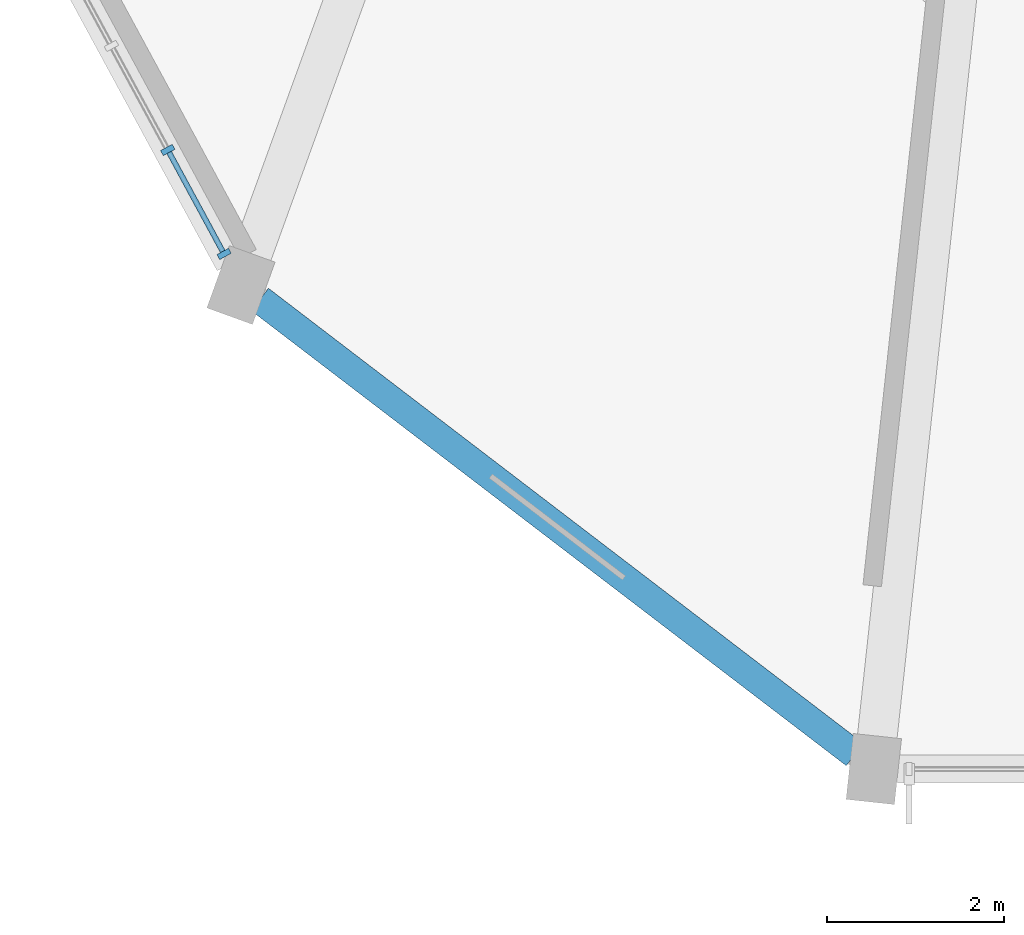
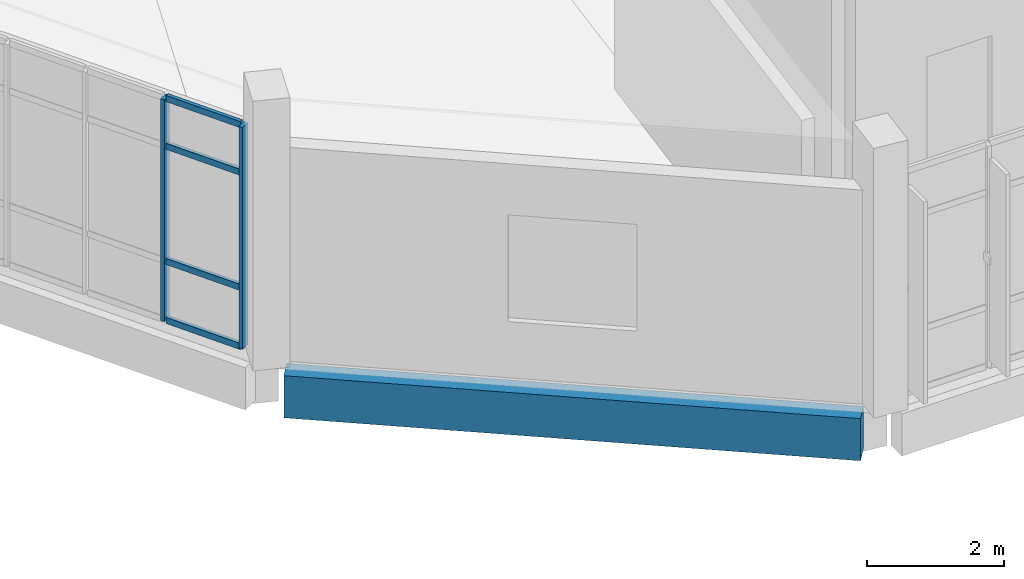
# One storey, part 41 of 179: 6 members, 1 beam, 1 element without a shape of its own.
"""IFC4 building model written with IfcOpenShell, lengths in metres."""

import ifcopenshell
import ifcopenshell.guid

model = None  # the IFC model being written
_history = None  # IfcOwnerHistory: only IFC2X3 demands one
_inside = {}  # id of a spatial element -> (the spatial element, [elements in it])
_under = {}  # id of a project, library or spatial element -> (it, [spatial elements below it])
_declared = {}  # id of a project -> (the project, [libraries it declares])
_typed = {}  # id of a type object -> (the type object, [elements of that type])
_made_of = {}  # id of a material, layer set ... -> (it, [elements and type objects made of it])


def new_model(schema):
    """Start an empty IFC model of exactly this schema.

    Asked for "IFC4X3", IfcOpenShell would pick the latest addendum, in which some entities
    have other attributes; the version numbers below select the first issue.
    IFC2X3 requires an IfcOwnerHistory on every rooted entity: one is made here for all.
    """
    global model, _history
    if schema == "IFC4X3":
        model = ifcopenshell.file(schema_version=(4, 3, 0, 0))
    else:
        model = ifcopenshell.file(schema=schema)
    _inside.clear()
    _under.clear()
    _declared.clear()
    _typed.clear()
    _made_of.clear()
    _history = None
    if model.schema == "IFC2X3":
        org = make("IfcOrganization", Name="unknown")
        user = make(
            "IfcPersonAndOrganization",
            ThePerson=make("IfcPerson", FamilyName="unknown"),
            TheOrganization=org,
        )
        app = make(
            "IfcApplication",
            ApplicationDeveloper=org,
            Version="unknown",
            ApplicationFullName="unknown",
            ApplicationIdentifier="unknown",
        )
        _history = make(
            "IfcOwnerHistory",
            OwningUser=user,
            OwningApplication=app,
            ChangeAction="ADDED",
            CreationDate=0,
        )
    return model


def make(cls, **values):
    """One entity of the class cls with the attributes given. An attribute that is None is left unset."""
    return model.create_entity(
        cls, **{name: value for name, value in values.items() if value is not None}
    )


def rooted(cls, **values):
    """An entity with a GlobalId (a new one), such as an element, a storey or a relation."""
    return make(cls, GlobalId=ifcopenshell.guid.new(), OwnerHistory=_history, **values)


def si_unit(unit_type, name, prefix=None):
    """IfcSIUnit, for example si_unit("LENGTHUNIT", "METRE", prefix="MILLI")."""
    return make("IfcSIUnit", UnitType=unit_type, Prefix=prefix, Name=name)


def assignment(units):
    """IfcUnitAssignment: the units of a project."""
    return None if units is None else make("IfcUnitAssignment", Units=units)


def point(xyz):
    """IfcCartesianPoint."""
    return None if xyz is None else make("IfcCartesianPoint", Coordinates=xyz)


def direction(xyz):
    """IfcDirection."""
    return None if xyz is None else make("IfcDirection", DirectionRatios=xyz)


def frame(location, z_axis=None, x_axis=None):
    """IfcAxis2Placement3D, a coordinate frame: its origin and axes. An axis left out is left unset."""
    return make(
        "IfcAxis2Placement3D",
        Location=point(location),
        Axis=direction(z_axis),
        RefDirection=direction(x_axis),
    )


def frame_2d(location, x_axis=None):
    """IfcAxis2Placement2D, a coordinate frame in the plane: its origin and x axis."""
    return make(
        "IfcAxis2Placement2D", Location=point(location), RefDirection=direction(x_axis)
    )


def origin():
    """The frame at (0, 0, 0) with its axes left unset."""
    return frame((0.0, 0.0, 0.0))


def origin_2d():
    """The frame at (0, 0) in the plane with its x axis left unset."""
    return frame_2d((0.0, 0.0))


def place(relative_to, where):
    """IfcLocalPlacement: puts the frame where relative to a parent placement (None: the world)."""
    return make(
        "IfcLocalPlacement", PlacementRelTo=relative_to, RelativePlacement=where
    )


def context(
    kind, dimensions, precision=None, world=None, true_north=None, identifier=None
):
    """IfcGeometricRepresentationContext, for example the 3D "Model" context."""
    return make(
        "IfcGeometricRepresentationContext",
        ContextIdentifier=identifier,
        ContextType=kind,
        CoordinateSpaceDimension=dimensions,
        Precision=precision,
        WorldCoordinateSystem=world,
        TrueNorth=true_north,
    )


def subcontext(parent, identifier, kind, view, scale=None):
    """IfcGeometricRepresentationSubContext, for example "Body" below "Model"."""
    return make(
        "IfcGeometricRepresentationSubContext",
        ContextIdentifier=identifier,
        ContextType=kind,
        ParentContext=parent,
        TargetScale=scale,
        TargetView=view,
    )


def project(units=None, contexts=None):
    """IfcProject with its units and contexts."""
    return rooted(
        "IfcProject",
        Name="project",
        RepresentationContexts=contexts,
        UnitsInContext=assignment(units),
    )


def spatial(cls, under=None, at=None, **own):
    """A site, building, storey or space (cls), placed at a placement, below another one or the project."""
    s = rooted(cls, ObjectPlacement=at, **own)
    if under is not None:
        _under.setdefault(under.id(), (under, []))[1].append(s)
    return s


def profile(cls, at=None, kind="AREA", **sizes):
    """A parametric profile (cls). Its sizes go by their IFC names, for example OverallWidth=200.0."""
    return make(cls, ProfileType=kind, Position=at, **sizes)


def rectangle(**sizes):
    """IfcRectangleProfileDef."""
    return profile("IfcRectangleProfileDef", **sizes)


def extrude(swept, where, along, depth):
    """IfcExtrudedAreaSolid: the profile swept, set in the frame where, extruded along a direction by depth."""
    return make(
        "IfcExtrudedAreaSolid",
        SweptArea=swept,
        Position=where,
        ExtrudedDirection=direction(along),
        Depth=depth,
    )


def shape(context_of_items, identifier, shape_type, items):
    """IfcShapeRepresentation: the items that make up one representation, for example the "Body"."""
    return make(
        "IfcShapeRepresentation",
        ContextOfItems=context_of_items,
        RepresentationIdentifier=identifier,
        RepresentationType=shape_type,
        Items=items,
    )


def material(Name=None, Category=None):
    """IfcMaterial."""
    return make("IfcMaterial", Name=Name, Category=Category)


def layer(
    of_material, thickness, ventilated=None, Name=None, Category=None, Priority=None
):
    """IfcMaterialLayer: one layer of a wall or slab, of a material (None: an air gap)."""
    return make(
        "IfcMaterialLayer",
        Material=of_material,
        LayerThickness=thickness,
        IsVentilated=ventilated,
        Name=Name,
        Category=Category,
        Priority=Priority,
    )


def layer_set(layers, Name=None):
    """IfcMaterialLayerSet."""
    return make("IfcMaterialLayerSet", MaterialLayers=layers, LayerSetName=Name)


def material_profile(
    of_material, cross_section, Name=None, Category=None, Priority=None
):
    """IfcMaterialProfile: a cross section and its material."""
    return make(
        "IfcMaterialProfile",
        Name=Name,
        Material=of_material,
        Profile=cross_section,
        Priority=Priority,
        Category=Category,
    )


def profile_set(profiles, Name=None, composite=None):
    """IfcMaterialProfileSet."""
    return make(
        "IfcMaterialProfileSet",
        Name=Name,
        MaterialProfiles=profiles,
        CompositeProfile=composite,
    )


def made_of(thing, what):
    """Note that an element or type object is made of a material, layer set ...; save() writes the relation."""
    if what is not None:
        _made_of.setdefault(what.id(), (what, []))[1].append(thing)
    return thing


def type_object(cls, material=None, **own):
    """A type object (cls), such as IfcWallType, which elements share."""
    return made_of(rooted(cls, **own), material)


def element(
    cls,
    number,
    at=None,
    inside=None,
    cuts=None,
    type_object=None,
    material=None,
    context=None,
    identifier="Body",
    shape_type=None,
    held_by="IfcProductDefinitionShape",
    body=None,
    shapes=None,
    **own,
):
    """One element of the class cls, such as IfcWall. Its Tag is "e" and its number.

    at: its placement. inside: the storey or other place that contains it. cuts: it is an
    opening in that element (IfcRelVoidsElement). A single representation is given by context,
    identifier, shape_type and body (its items); several are given by shapes. held_by: the class
    of the entity that holds the representations. save() writes the other relations.
    """
    e = rooted(cls, Tag="e%d" % number, ObjectPlacement=at, **own)
    if body is not None:
        shapes = [shape(context, identifier, shape_type, body)]
    if shapes is not None:
        e.Representation = make(held_by, Representations=shapes)
    if inside is not None:
        _inside.setdefault(inside.id(), (inside, []))[1].append(e)
    if cuts is not None:
        rooted(
            "IfcRelVoidsElement", RelatingBuildingElement=cuts, RelatedOpeningElement=e
        )
    if type_object is not None:
        _typed.setdefault(type_object.id(), (type_object, []))[1].append(e)
    return made_of(e, material)


def aggregate(whole, parts):
    """IfcRelAggregates: a whole, such as a stair, and the parts it consists of."""
    return rooted("IfcRelAggregates", RelatingObject=whole, RelatedObjects=parts)


def save(model, path):
    """Write the relations noted so far, then the file.

    IfcRelAggregates (storeys below a building ...), IfcRelContainedInSpatialStructure (elements
    in a storey), IfcRelDefinesByType, IfcRelAssociatesMaterial and IfcRelDeclares: one each for
    every whole, place, type object, material and project.
    """
    for whole, parts in _under.values():
        aggregate(whole, parts)
    for where, things in _inside.values():
        rooted(
            "IfcRelContainedInSpatialStructure",
            RelatedElements=things,
            RelatingStructure=where,
        )
    for kind, things in _typed.values():
        rooted("IfcRelDefinesByType", RelatedObjects=things, RelatingType=kind)
    for what, things in _made_of.values():
        rooted("IfcRelAssociatesMaterial", RelatedObjects=things, RelatingMaterial=what)
    for by, libraries in _declared.values():
        rooted("IfcRelDeclares", RelatingContext=by, RelatedDefinitions=libraries)
    model.write(path)


model = new_model("IFC4")

# Units and contexts
model_context = context("Model", 3, precision=1e-05, world=origin(), true_north=direction((0.0, 1.0)))
body_context = subcontext(model_context, "Body", "Model", "MODEL_VIEW")
ifc_project = project(units=[si_unit("LENGTHUNIT", "METRE"), si_unit("AREAUNIT", "SQUARE_METRE"), si_unit("VOLUMEUNIT", "CUBIC_METRE"), si_unit("PLANEANGLEUNIT", "RADIAN"), si_unit("MASSUNIT", "GRAM", prefix="KILO")], contexts=[model_context])

# Site, building, storey
site_placement = place(None, origin())
site = spatial("IfcSite", under=ifc_project, at=site_placement, CompositionType="ELEMENT")
building_placement = place(site_placement, origin())
building = spatial("IfcBuilding", under=site, at=building_placement, Name="Corvandel Quay Wholesale Market", CompositionType="ELEMENT")
storey_placement = place(building_placement, frame((0.0, 0.0, 6.0)))
storey = spatial("IfcBuildingStorey", under=building, at=storey_placement, Name="L01", CompositionType="ELEMENT", Elevation=6.0)

# Curtain wall, members
ifc_material_1 = material(Name="Bronze anodised aluminium and low-E insulated glazing", Category="aluminium")
ifc_layer = layer(ifc_material_1, 0.197998046875)
ifc_layer_set = layer_set([ifc_layer], Name="Bronze anodised aluminium and low-E insulated glazing")
curtain_wall_type = type_object("IfcCurtainWallType", Name="Stick Curtain Wall System CW19 H4710", PredefinedType="NOTDEFINED", material=ifc_layer_set)
curtain_wall_placement = place(storey_placement, origin())
curtain_wall = element("IfcCurtainWall", 1, at=curtain_wall_placement, inside=storey, type_object=curtain_wall_type, Name="Curtain Wall CW-0137", PredefinedType="NOTDEFINED")
ifc_material_2 = material(Name="Anodised aluminium 6063-T6", Category="aluminium")
ifc_material_profile_1 = material_profile(ifc_material_2, rectangle(XDim=0.06494140625, YDim=0.14990234375, at=origin_2d()), Name="ALU-MUL-65x150")
ifc_profile_set_1 = profile_set([ifc_material_profile_1], Name="Anodised aluminium 6063-T6")
member_type_1 = type_object("IfcMemberType", Name="Curtain Wall Mullion ML02 65x150", PredefinedType="MULLION", material=ifc_profile_set_1)
member_1_placement = place(storey_placement, frame((182.62548828125, 31.010498046875, 0.0), z_axis=(0.0, 0.0, 1.0), x_axis=(-0.476238203668, 0.879316310191, 0.0)))
member_1 = element("IfcMember", 2, at=member_1_placement, type_object=member_type_1, Name="Mullion CW-0137-M07", PredefinedType="MULLION", context=body_context, shape_type="SweptSolid", body=[
    extrude(rectangle(XDim=0.06494140625, YDim=0.14990234375, at=origin_2d()), origin(), (0.0, 0.0, 1.0), 3.949951171875),
])
member_2_placement = place(storey_placement, frame((183.263427734375, 29.832763671875, 0.0), z_axis=(0.0, 0.0, 1.0), x_axis=(-0.476238203668, 0.879316310191, 0.0)))
member_2 = element("IfcMember", 3, at=member_2_placement, type_object=member_type_1, Name="Mullion CW-0137-M08", PredefinedType="MULLION", context=body_context, shape_type="SweptSolid", body=[
    extrude(rectangle(XDim=0.06494140625, YDim=0.14990234375, at=origin_2d()), origin(), (0.0, 0.0, 1.0), 3.949951171875),
])
ifc_material_profile_2 = material_profile(ifc_material_2, rectangle(XDim=0.06005859375, YDim=0.110107421875, at=origin_2d()), Name="ALU-TRN-60x110")
ifc_profile_set_2 = profile_set([ifc_material_profile_2], Name="Anodised aluminium 6063-T6")
member_type_2 = type_object("IfcMemberType", Name="Curtain Wall Transom TR02 60x110", PredefinedType="USERDEFINED", material=ifc_profile_set_2)
member_3_placement = place(storey_placement, frame((182.64111328125, 30.982177734375, 0.0), z_axis=(0.476165907025, -0.879355462249, 0.0), x_axis=(0.879355462249, 0.476165907025, 0.0)))
member_3 = element("IfcMember", 4, at=member_3_placement, type_object=member_type_2, Name="Transom CW-0137-T07-0", ObjectType="TRANSOM", PredefinedType="USERDEFINED", context=body_context, shape_type="SweptSolid", body=[
    extrude(rectangle(XDim=0.06005859375, YDim=0.110107421875, at=origin_2d()), origin(), (0.0, 0.0, 1.0), 1.274658203125),
])
member_4_placement = place(storey_placement, frame((182.64111328125, 30.982177734375, 1.050048828125), z_axis=(0.476165907025, -0.879355462249, 0.0), x_axis=(0.879355462249, 0.476165907025, 0.0)))
member_4 = element("IfcMember", 5, at=member_4_placement, type_object=member_type_2, Name="Transom CW-0137-T07-1", ObjectType="TRANSOM", PredefinedType="USERDEFINED", context=body_context, shape_type="SweptSolid", body=[
    extrude(rectangle(XDim=0.06005859375, YDim=0.110107421875, at=origin_2d()), origin(), (0.0, 0.0, 1.0), 1.274658203125),
])
member_5_placement = place(storey_placement, frame((182.64111328125, 30.982177734375, 3.10009765625), z_axis=(0.476165907025, -0.879355462249, 0.0), x_axis=(0.879355462249, 0.476165907025, 0.0)))
member_5 = element("IfcMember", 6, at=member_5_placement, type_object=member_type_2, Name="Transom CW-0137-T07-2", ObjectType="TRANSOM", PredefinedType="USERDEFINED", context=body_context, shape_type="SweptSolid", body=[
    extrude(rectangle(XDim=0.06005859375, YDim=0.110107421875, at=origin_2d()), origin(), (0.0, 0.0, 1.0), 1.274658203125),
])
member_6_placement = place(storey_placement, frame((182.64111328125, 30.982177734375, 3.949951171875), z_axis=(0.476165907025, -0.879355462249, 0.0), x_axis=(0.879355462249, 0.476165907025, 0.0)))
member_6 = element("IfcMember", 7, at=member_6_placement, type_object=member_type_2, Name="Transom CW-0137-T07-3", ObjectType="TRANSOM", PredefinedType="USERDEFINED", context=body_context, shape_type="SweptSolid", body=[
    extrude(rectangle(XDim=0.06005859375, YDim=0.110107421875, at=origin_2d()), origin(), (0.0, 0.0, 1.0), 1.274658203125),
])
aggregate(curtain_wall, [member_1, member_2, member_3, member_4, member_5, member_6])

# Beam
ifc_material_3 = material(Name="Precast concrete C45/55", Category="concrete")
ifc_material_profile_3 = material_profile(ifc_material_3, rectangle(XDim=0.320068359375, YDim=0.75, at=origin_2d()), Name="PC-SPN-320x750")
ifc_profile_set_3 = profile_set([ifc_material_profile_3], Name="Precast concrete C45/55")
beam_type = type_object("IfcBeamType", Name="Pavilion Precast Spandrel SP02 320x750", PredefinedType="SPANDREL", material=ifc_profile_set_3)
beam_placement = place(storey_placement, frame((183.66845703125, 29.31689453125, -0.614990234375), z_axis=(0.794345578607, -0.607466132182, 0.0), x_axis=(0.607466132182, 0.794345578607, 0.0)))
element("IfcBeam", 8, at=beam_placement, inside=storey, type_object=beam_type, Name="Beam BM-0873", PredefinedType="SPANDREL", context=body_context, shape_type="SweptSolid", body=[
    extrude(rectangle(XDim=0.320068359375, YDim=0.75, at=origin_2d()), origin(), (0.0, 0.0, 1.0), 8.482421875),
])

save(model, "model.ifc")
